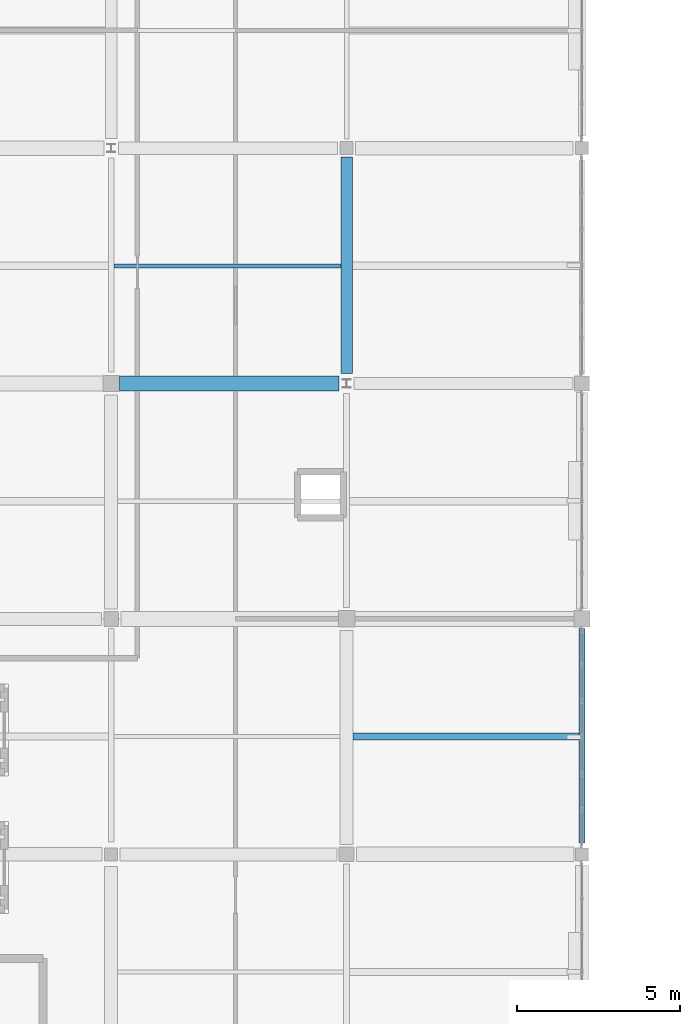
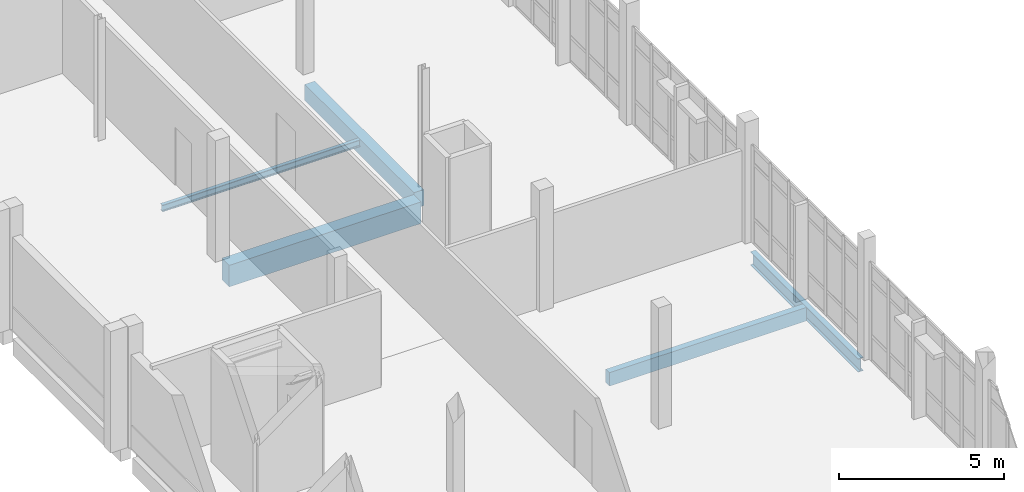
# One storey, part 15 of 62: 5 beams.
"""IFC4 building model written with IfcOpenShell, lengths in metres."""

import ifcopenshell
import ifcopenshell.guid

model = None  # the IFC model being written
_history = None  # IfcOwnerHistory: only IFC2X3 demands one
_inside = {}  # id of a spatial element -> (the spatial element, [elements in it])
_under = {}  # id of a project, library or spatial element -> (it, [spatial elements below it])
_declared = {}  # id of a project -> (the project, [libraries it declares])
_typed = {}  # id of a type object -> (the type object, [elements of that type])
_made_of = {}  # id of a material, layer set ... -> (it, [elements and type objects made of it])


def new_model(schema):
    """Start an empty IFC model of exactly this schema.

    Asked for "IFC4X3", IfcOpenShell would pick the latest addendum, in which some entities
    have other attributes; the version numbers below select the first issue.
    IFC2X3 requires an IfcOwnerHistory on every rooted entity: one is made here for all.
    """
    global model, _history
    if schema == "IFC4X3":
        model = ifcopenshell.file(schema_version=(4, 3, 0, 0))
    else:
        model = ifcopenshell.file(schema=schema)
    _inside.clear()
    _under.clear()
    _declared.clear()
    _typed.clear()
    _made_of.clear()
    _history = None
    if model.schema == "IFC2X3":
        org = make("IfcOrganization", Name="unknown")
        user = make(
            "IfcPersonAndOrganization",
            ThePerson=make("IfcPerson", FamilyName="unknown"),
            TheOrganization=org,
        )
        app = make(
            "IfcApplication",
            ApplicationDeveloper=org,
            Version="unknown",
            ApplicationFullName="unknown",
            ApplicationIdentifier="unknown",
        )
        _history = make(
            "IfcOwnerHistory",
            OwningUser=user,
            OwningApplication=app,
            ChangeAction="ADDED",
            CreationDate=0,
        )
    return model


def make(cls, **values):
    """One entity of the class cls with the attributes given. An attribute that is None is left unset."""
    return model.create_entity(
        cls, **{name: value for name, value in values.items() if value is not None}
    )


def rooted(cls, **values):
    """An entity with a GlobalId (a new one), such as an element, a storey or a relation."""
    return make(cls, GlobalId=ifcopenshell.guid.new(), OwnerHistory=_history, **values)


def si_unit(unit_type, name, prefix=None):
    """IfcSIUnit, for example si_unit("LENGTHUNIT", "METRE", prefix="MILLI")."""
    return make("IfcSIUnit", UnitType=unit_type, Prefix=prefix, Name=name)


def assignment(units):
    """IfcUnitAssignment: the units of a project."""
    return None if units is None else make("IfcUnitAssignment", Units=units)


def point(xyz):
    """IfcCartesianPoint."""
    return None if xyz is None else make("IfcCartesianPoint", Coordinates=xyz)


def direction(xyz):
    """IfcDirection."""
    return None if xyz is None else make("IfcDirection", DirectionRatios=xyz)


def frame(location, z_axis=None, x_axis=None):
    """IfcAxis2Placement3D, a coordinate frame: its origin and axes. An axis left out is left unset."""
    return make(
        "IfcAxis2Placement3D",
        Location=point(location),
        Axis=direction(z_axis),
        RefDirection=direction(x_axis),
    )


def frame_2d(location, x_axis=None):
    """IfcAxis2Placement2D, a coordinate frame in the plane: its origin and x axis."""
    return make(
        "IfcAxis2Placement2D", Location=point(location), RefDirection=direction(x_axis)
    )


def origin():
    """The frame at (0, 0, 0) with its axes left unset."""
    return frame((0.0, 0.0, 0.0))


def origin_2d():
    """The frame at (0, 0) in the plane with its x axis left unset."""
    return frame_2d((0.0, 0.0))


def place(relative_to, where):
    """IfcLocalPlacement: puts the frame where relative to a parent placement (None: the world)."""
    return make(
        "IfcLocalPlacement", PlacementRelTo=relative_to, RelativePlacement=where
    )


def context(
    kind, dimensions, precision=None, world=None, true_north=None, identifier=None
):
    """IfcGeometricRepresentationContext, for example the 3D "Model" context."""
    return make(
        "IfcGeometricRepresentationContext",
        ContextIdentifier=identifier,
        ContextType=kind,
        CoordinateSpaceDimension=dimensions,
        Precision=precision,
        WorldCoordinateSystem=world,
        TrueNorth=true_north,
    )


def subcontext(parent, identifier, kind, view, scale=None):
    """IfcGeometricRepresentationSubContext, for example "Body" below "Model"."""
    return make(
        "IfcGeometricRepresentationSubContext",
        ContextIdentifier=identifier,
        ContextType=kind,
        ParentContext=parent,
        TargetScale=scale,
        TargetView=view,
    )


def project(units=None, contexts=None):
    """IfcProject with its units and contexts."""
    return rooted(
        "IfcProject",
        Name="project",
        RepresentationContexts=contexts,
        UnitsInContext=assignment(units),
    )


def spatial(cls, under=None, at=None, **own):
    """A site, building, storey or space (cls), placed at a placement, below another one or the project."""
    s = rooted(cls, ObjectPlacement=at, **own)
    if under is not None:
        _under.setdefault(under.id(), (under, []))[1].append(s)
    return s


def profile(cls, at=None, kind="AREA", **sizes):
    """A parametric profile (cls). Its sizes go by their IFC names, for example OverallWidth=200.0."""
    return make(cls, ProfileType=kind, Position=at, **sizes)


def rectangle(**sizes):
    """IfcRectangleProfileDef."""
    return profile("IfcRectangleProfileDef", **sizes)


def i_section(**sizes):
    """IfcIShapeProfileDef."""
    return profile("IfcIShapeProfileDef", **sizes)


def extrude(swept, where, along, depth):
    """IfcExtrudedAreaSolid: the profile swept, set in the frame where, extruded along a direction by depth."""
    return make(
        "IfcExtrudedAreaSolid",
        SweptArea=swept,
        Position=where,
        ExtrudedDirection=direction(along),
        Depth=depth,
    )


def shape(context_of_items, identifier, shape_type, items):
    """IfcShapeRepresentation: the items that make up one representation, for example the "Body"."""
    return make(
        "IfcShapeRepresentation",
        ContextOfItems=context_of_items,
        RepresentationIdentifier=identifier,
        RepresentationType=shape_type,
        Items=items,
    )


def material(Name=None, Category=None):
    """IfcMaterial."""
    return make("IfcMaterial", Name=Name, Category=Category)


def material_profile(
    of_material, cross_section, Name=None, Category=None, Priority=None
):
    """IfcMaterialProfile: a cross section and its material."""
    return make(
        "IfcMaterialProfile",
        Name=Name,
        Material=of_material,
        Profile=cross_section,
        Priority=Priority,
        Category=Category,
    )


def profile_set(profiles, Name=None, composite=None):
    """IfcMaterialProfileSet."""
    return make(
        "IfcMaterialProfileSet",
        Name=Name,
        MaterialProfiles=profiles,
        CompositeProfile=composite,
    )


def made_of(thing, what):
    """Note that an element or type object is made of a material, layer set ...; save() writes the relation."""
    if what is not None:
        _made_of.setdefault(what.id(), (what, []))[1].append(thing)
    return thing


def type_object(cls, material=None, **own):
    """A type object (cls), such as IfcWallType, which elements share."""
    return made_of(rooted(cls, **own), material)


def element(
    cls,
    number,
    at=None,
    inside=None,
    cuts=None,
    type_object=None,
    material=None,
    context=None,
    identifier="Body",
    shape_type=None,
    held_by="IfcProductDefinitionShape",
    body=None,
    shapes=None,
    **own,
):
    """One element of the class cls, such as IfcWall. Its Tag is "e" and its number.

    at: its placement. inside: the storey or other place that contains it. cuts: it is an
    opening in that element (IfcRelVoidsElement). A single representation is given by context,
    identifier, shape_type and body (its items); several are given by shapes. held_by: the class
    of the entity that holds the representations. save() writes the other relations.
    """
    e = rooted(cls, Tag="e%d" % number, ObjectPlacement=at, **own)
    if body is not None:
        shapes = [shape(context, identifier, shape_type, body)]
    if shapes is not None:
        e.Representation = make(held_by, Representations=shapes)
    if inside is not None:
        _inside.setdefault(inside.id(), (inside, []))[1].append(e)
    if cuts is not None:
        rooted(
            "IfcRelVoidsElement", RelatingBuildingElement=cuts, RelatedOpeningElement=e
        )
    if type_object is not None:
        _typed.setdefault(type_object.id(), (type_object, []))[1].append(e)
    return made_of(e, material)


def aggregate(whole, parts):
    """IfcRelAggregates: a whole, such as a stair, and the parts it consists of."""
    return rooted("IfcRelAggregates", RelatingObject=whole, RelatedObjects=parts)


def save(model, path):
    """Write the relations noted so far, then the file.

    IfcRelAggregates (storeys below a building ...), IfcRelContainedInSpatialStructure (elements
    in a storey), IfcRelDefinesByType, IfcRelAssociatesMaterial and IfcRelDeclares: one each for
    every whole, place, type object, material and project.
    """
    for whole, parts in _under.values():
        aggregate(whole, parts)
    for where, things in _inside.values():
        rooted(
            "IfcRelContainedInSpatialStructure",
            RelatedElements=things,
            RelatingStructure=where,
        )
    for kind, things in _typed.values():
        rooted("IfcRelDefinesByType", RelatedObjects=things, RelatingType=kind)
    for what, things in _made_of.values():
        rooted("IfcRelAssociatesMaterial", RelatedObjects=things, RelatingMaterial=what)
    for by, libraries in _declared.values():
        rooted("IfcRelDeclares", RelatingContext=by, RelatedDefinitions=libraries)
    model.write(path)


model = new_model("IFC4")

# Units and contexts
model_context = context("Model", 3, precision=1e-05, world=origin(), true_north=direction((0.0, 1.0)))
body_context = subcontext(model_context, "Body", "Model", "MODEL_VIEW")
ifc_project = project(units=[si_unit("LENGTHUNIT", "METRE"), si_unit("AREAUNIT", "SQUARE_METRE"), si_unit("VOLUMEUNIT", "CUBIC_METRE"), si_unit("PLANEANGLEUNIT", "RADIAN"), si_unit("MASSUNIT", "GRAM", prefix="KILO")], contexts=[model_context])

# Site, building, storey
site_placement = place(None, origin())
site = spatial("IfcSite", under=ifc_project, at=site_placement, CompositionType="ELEMENT")
building_placement = place(site_placement, origin())
building = spatial("IfcBuilding", under=site, at=building_placement, Name="Kalluvel Institute of Natural Sciences", CompositionType="ELEMENT")
storey_placement = place(building_placement, frame((0.0, 0.0, 27.89990234375)))
storey = spatial("IfcBuildingStorey", under=building, at=storey_placement, Name="L06", CompositionType="ELEMENT", Elevation=27.89990234375)

# Beams
ifc_material_1 = material(Name="Steel E350 Grade 350", Category="steel")
ifc_material_profile_1 = material_profile(ifc_material_1, i_section(OverallWidth=0.179931640625, OverallDepth=0.5, WebThickness=0.01025390625, FlangeThickness=0.01708984375, FilletRadius=0.01708984375, at=origin_2d()), Name="ISMB 500")
ifc_profile_set_1 = profile_set([ifc_material_profile_1], Name="Steel E350 Grade 350")
beam_type_1 = type_object("IfcBeamType", Name="BM-ISMB500", PredefinedType="BEAM", material=ifc_profile_set_1)
beam_1_placement = place(storey_placement, frame((35.60009765625, 57.550048828125, -0.5498046875), z_axis=(0.0, 1.0, 0.0), x_axis=(-1.0, 0.0, 0.0)))
element("IfcBeam", 1, at=beam_1_placement, inside=storey, type_object=beam_type_1, Name="L06 girder GIR-L06-NS-X356-Y572", PredefinedType="BEAM", context=body_context, shape_type="SweptSolid", body=[
    extrude(i_section(OverallWidth=0.179931640625, OverallDepth=0.5, WebThickness=0.01025390625, FlangeThickness=0.01708984375, FilletRadius=0.01708984375, at=origin_2d()), origin(), (0.0, 0.0, 1.0), 6.550048828125),
])
ifc_material_2 = material(Name="Concrete M40", Category="concrete")
ifc_material_profile_2 = material_profile(ifc_material_2, rectangle(XDim=0.35009765625, YDim=0.60009765625, at=origin_2d()), Name="RCB 350x600")
ifc_profile_set_2 = profile_set([ifc_material_profile_2], Name="Concrete M40")
beam_type_2 = type_object("IfcBeamType", Name="BM-RC350x600", PredefinedType="BEAM", material=ifc_profile_set_2)
beam_2_placement = place(storey_placement, frame((28.39990234375, 71.89990234375, -0.599853515625), z_axis=(0.0, 1.0, 0.0), x_axis=(-1.0, 0.0, 0.0)))
element("IfcBeam", 2, at=beam_2_placement, inside=storey, type_object=beam_type_2, Name="L06 girder GIR-L06-NS-X284-Y716", PredefinedType="BEAM", context=body_context, shape_type="SweptSolid", body=[
    extrude(rectangle(XDim=0.35009765625, YDim=0.60009765625, at=origin_2d()), origin(), (0.0, 0.0, 1.0), 6.625),
])
ifc_material_profile_3 = material_profile(ifc_material_2, rectangle(XDim=0.449951171875, YDim=0.800048828125, at=origin_2d()), Name="RCB 450x800")
ifc_profile_set_3 = profile_set([ifc_material_profile_3], Name="Concrete M40")
beam_type_3 = type_object("IfcBeamType", Name="BM-RC450x800", PredefinedType="BEAM", material=ifc_profile_set_3)
beam_3_placement = place(storey_placement, frame((21.449951171875, 71.60009765625, -0.699951171875), z_axis=(1.0, 0.0, 0.0), x_axis=(0.0, 1.0, 0.0)))
element("IfcBeam", 3, at=beam_3_placement, inside=storey, type_object=beam_type_3, Name="L06 girder GIR-L06-EW-X212-Y716", PredefinedType="BEAM", context=body_context, shape_type="SweptSolid", body=[
    extrude(rectangle(XDim=0.449951171875, YDim=0.800048828125, at=origin_2d()), origin(), (0.0, 0.0, 1.0), 6.72509765625),
])
ifc_material_profile_4 = material_profile(ifc_material_2, rectangle(XDim=0.219970703125, YDim=0.5, at=origin_2d()), Name="WAF 220x500")
ifc_profile_set_4 = profile_set([ifc_material_profile_4], Name="Concrete M40")
beam_type_4 = type_object("IfcBeamType", Name="WJ-220x500", PredefinedType="JOIST", material=ifc_profile_set_4)
beam_4_placement = place(storey_placement, frame((28.60009765625, 60.800048828125, -0.5498046875), z_axis=(1.0, 0.0, 0.0), x_axis=(0.0, 1.0, 0.0)))
element("IfcBeam", 4, at=beam_4_placement, inside=storey, type_object=beam_type_4, Name="L06 floor rib RIB-L06-0766", PredefinedType="JOIST", context=body_context, shape_type="SweptSolid", body=[
    extrude(rectangle(XDim=0.219970703125, YDim=0.5, at=origin_2d()), origin(), (0.0, 0.0, 1.0), 6.909912109375),
])
ifc_material_profile_5 = material_profile(ifc_material_1, i_section(OverallWidth=0.125, OverallDepth=0.25, WebThickness=0.0068359375, FlangeThickness=0.012451171875, FilletRadius=0.012939453125, at=origin_2d()), Name="ISMB 250")
ifc_profile_set_5 = profile_set([ifc_material_profile_5], Name="Steel E350 Grade 350")
beam_type_5 = type_object("IfcBeamType", Name="WJ-ISMB250", PredefinedType="JOIST", material=ifc_profile_set_5)
beam_5_placement = place(storey_placement, frame((21.2900390625, 75.199951171875, -0.4248046875), z_axis=(1.0, 0.0, 0.0), x_axis=(0.0, 1.0, 0.0)))
element("IfcBeam", 5, at=beam_5_placement, inside=storey, type_object=beam_type_5, Name="L06 floor rib RIB-L06-0771", PredefinedType="JOIST", context=body_context, shape_type="SweptSolid", body=[
    extrude(i_section(OverallWidth=0.125, OverallDepth=0.25, WebThickness=0.0068359375, FlangeThickness=0.012451171875, FilletRadius=0.012939453125, at=origin_2d()), origin(), (0.0, 0.0, 1.0), 6.93505859375),
])

save(model, "model.ifc")
